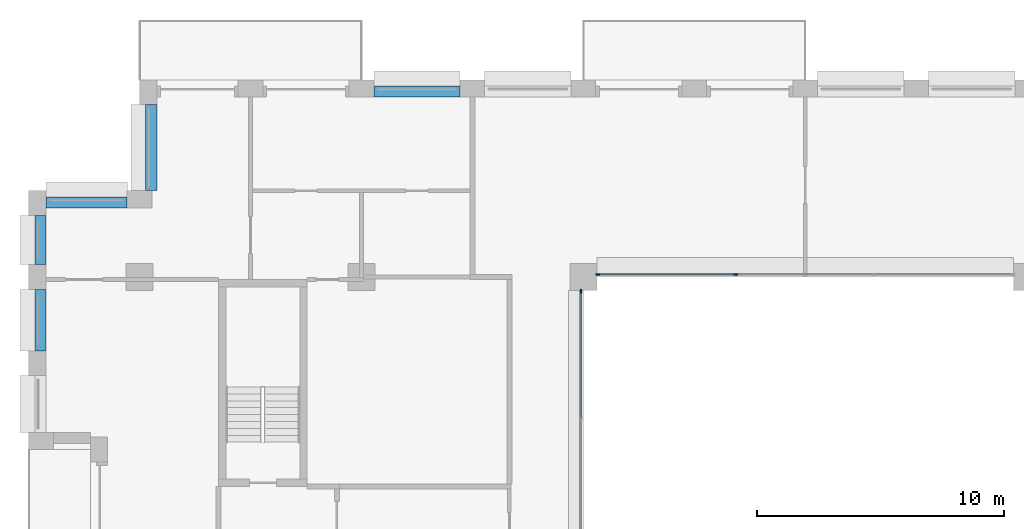
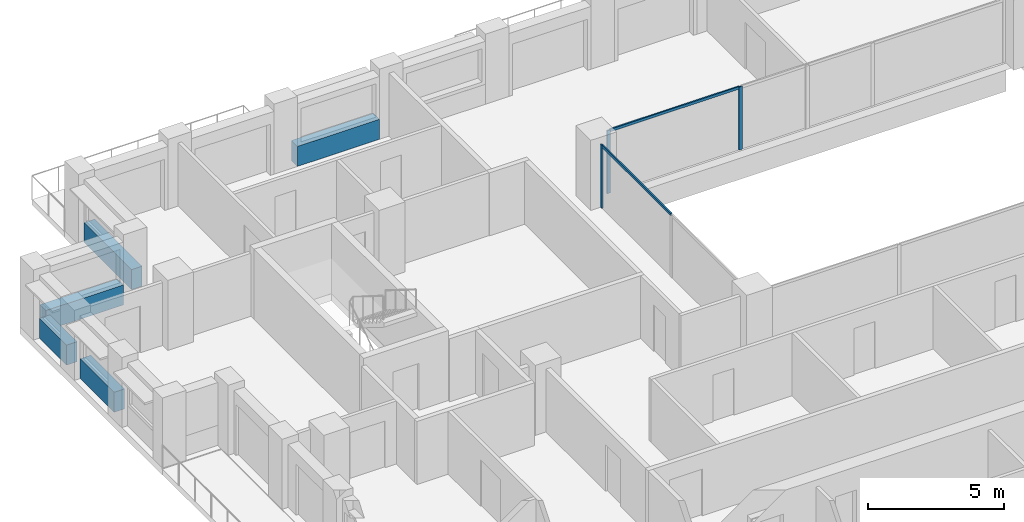
# One storey, part 5 of 16: 5 beams, 5 members, 2 elements without a shape of their own.
"""IFC4 building model written with IfcOpenShell, lengths in metres."""

from ifc_helpers import new_model, si_unit, direction, frame, origin, origin_2d, place, context, subcontext, project, spatial, rectangle, extrude, material, layer, layer_set, material_profile, profile_set, type_object, element, aggregate, save


model = new_model("IFC4")

# Units and contexts
model_context = context("Model", 3, precision=1e-05, world=origin(), true_north=direction((0.0, 1.0)))
body_context = subcontext(model_context, "Body", "Model", "MODEL_VIEW")
ifc_project = project(units=[si_unit("LENGTHUNIT", "METRE"), si_unit("AREAUNIT", "SQUARE_METRE"), si_unit("VOLUMEUNIT", "CUBIC_METRE"), si_unit("PLANEANGLEUNIT", "RADIAN"), si_unit("MASSUNIT", "GRAM", prefix="KILO")], contexts=[model_context])

# Site, building, storey
site_placement = place(None, origin())
site = spatial("IfcSite", under=ifc_project, at=site_placement, CompositionType="ELEMENT")
building_placement = place(site_placement, origin())
building = spatial("IfcBuilding", under=site, at=building_placement, Name="Brigalow Station Residences", CompositionType="ELEMENT")
storey_placement = place(building_placement, frame((0.0, 0.0, 160.199951171875)))
storey = spatial("IfcBuildingStorey", under=building, at=storey_placement, Name="L46", CompositionType="ELEMENT", Elevation=160.199951171875)

# Curtain wall, members
ifc_material_1 = material(Name="Aluminium", Category="aluminium")
ifc_layer = layer(ifc_material_1, 0.14990234375)
ifc_layer_set = layer_set([ifc_layer], Name="ATRIUM FIRE-RATED GLAZING CURTAIN WALL")
curtain_wall_type = type_object("IfcCurtainWallType", Name="ATRIUM FIRE-RATED GLAZING CURTAIN WALL", PredefinedType="NOTDEFINED", material=ifc_layer_set)
curtain_wall_1_placement = place(storey_placement, origin())
curtain_wall_1 = element("IfcCurtainWall", 1, at=curtain_wall_1_placement, inside=storey, type_object=curtain_wall_type, Name="L46/cw/atrium-N", PredefinedType="NOTDEFINED")
ifc_material_2 = material(Name="Aluminium", Category="aluminium")
ifc_material_profile_1 = material_profile(ifc_material_2, rectangle(XDim=0.06005859375, YDim=0.14990234375, at=origin_2d()), Name="ATRIUM FIRE-RATED GLAZING MULLION 60x150")
ifc_profile_set_1 = profile_set([ifc_material_profile_1], Name="Aluminium")
member_type_1 = type_object("IfcMemberType", Name="ATRIUM FIRE-RATED GLAZING MULLION 60x150", PredefinedType="MULLION", material=ifc_profile_set_1)
member_1_placement = place(storey_placement, frame((33.183349609375, 35.60009765625, 0.0), z_axis=(0.0, 0.0, 1.0), x_axis=(0.0, -1.0, 0.0)))
member_1 = element("IfcMember", 2, at=member_1_placement, type_object=member_type_1, Name="L46/cw/atrium-N/M02", PredefinedType="MULLION", context=body_context, shape_type="SweptSolid", body=[
    extrude(rectangle(XDim=0.06005859375, YDim=0.14990234375, at=origin_2d()), origin(), (0.0, 0.0, 1.0), 2.830078125),
])
member_2_placement = place(storey_placement, frame((27.580078125, 35.60009765625, 0.0), z_axis=(0.0, 0.0, 1.0), x_axis=(0.0, -1.0, 0.0)))
member_2 = element("IfcMember", 3, at=member_2_placement, type_object=member_type_1, Name="L46/cw/atrium-N/M03", PredefinedType="MULLION", context=body_context, shape_type="SweptSolid", body=[
    extrude(rectangle(XDim=0.06005859375, YDim=0.14990234375, at=origin_2d()), origin(), (0.0, 0.0, 1.0), 2.830078125),
])

# Curtain wall, member
curtain_wall_2_placement = place(storey_placement, origin())
curtain_wall_2 = element("IfcCurtainWall", 4, at=curtain_wall_2_placement, inside=storey, type_object=curtain_wall_type, Name="L46/cw/atrium-W", PredefinedType="NOTDEFINED")
member_3_placement = place(storey_placement, frame((26.89990234375, 34.919921875, 0.0), z_axis=(0.0, 0.0, 1.0), x_axis=(1.0, 0.0, 0.0)))
member_3 = element("IfcMember", 5, at=member_3_placement, type_object=member_type_1, Name="L46/cw/atrium-W/M00", PredefinedType="MULLION", context=body_context, shape_type="SweptSolid", body=[
    extrude(rectangle(XDim=0.06005859375, YDim=0.14990234375, at=origin_2d()), origin(), (0.0, 0.0, 1.0), 2.830078125),
])

# Member
ifc_material_3 = material(Name="Aluminium", Category="aluminium")
ifc_material_profile_2 = material_profile(ifc_material_3, rectangle(XDim=0.06005859375, YDim=0.1201171875, at=origin_2d()), Name="ATRIUM FIRE-RATED GLAZING TRANSOM 60x120")
ifc_profile_set_2 = profile_set([ifc_material_profile_2], Name="Aluminium")
member_type_2 = type_object("IfcMemberType", Name="ATRIUM FIRE-RATED GLAZING TRANSOM 60x120", PredefinedType="USERDEFINED", material=ifc_profile_set_2)
member_4_placement = place(storey_placement, frame((33.1533203125, 35.60009765625, 2.800048828125), z_axis=(-1.0, 0.0, 0.0), x_axis=(0.0, -1.0, 0.0)))
member_4 = element("IfcMember", 6, at=member_4_placement, type_object=member_type_2, Name="L46/cw/atrium-N/T02-00", ObjectType="TRANSOM", PredefinedType="USERDEFINED", context=body_context, shape_type="SweptSolid", body=[
    extrude(rectangle(XDim=0.06005859375, YDim=0.1201171875, at=origin_2d()), origin(), (0.0, 0.0, 1.0), 5.543212890625),
])

aggregate(curtain_wall_1, [member_1, member_2, member_4])

member_5_placement = place(storey_placement, frame((26.89990234375, 34.889892578125, 2.800048828125), z_axis=(0.0, -1.0, 0.0), x_axis=(1.0, 0.0, 0.0)))
member_5 = element("IfcMember", 7, at=member_5_placement, type_object=member_type_2, Name="L46/cw/atrium-W/T00-00", ObjectType="TRANSOM", PredefinedType="USERDEFINED", context=body_context, shape_type="SweptSolid", body=[
    extrude(rectangle(XDim=0.06005859375, YDim=0.1201171875, at=origin_2d()), origin(), (0.0, 0.0, 1.0), 5.10986328125),
])

aggregate(curtain_wall_2, [member_3, member_5])

# Beams
ifc_material_4 = material(Name="Concrete C50", Category="concrete")
ifc_material_profile_3 = material_profile(ifc_material_4, rectangle(XDim=0.449951171875, YDim=0.89990234375, at=origin_2d()), Name="RC450x900")
ifc_profile_set_3 = profile_set([ifc_material_profile_3], Name="Concrete C50")
beam_type = type_object("IfcBeamType", Name="SPANDREL BEAM 450x900 C50", PredefinedType="SPANDREL", material=ifc_profile_set_3)
for number, where, z_axis, x_axis, name in (
    (8, (22.0, 43.02490234375, 0.449951171875), (-1.0, 0.0, 0.0), (0.0, -1.0, 0.0), "L46/spandrel/W-L46-32"),
    (9, (9.47509765625, 42.5, 0.449951171875), (0.0, -1.0, 0.0), (1.0, 0.0, 0.0), "L46/spandrel/W-L46-35"),
):
    element("IfcBeam", number, at=place(storey_placement, frame(where, z_axis=z_axis, x_axis=x_axis)), inside=storey, type_object=beam_type, Name=name, PredefinedType="SPANDREL", context=body_context, shape_type="SweptSolid", body=[
        extrude(rectangle(XDim=0.449951171875, YDim=0.89990234375, at=origin_2d()), origin(), (0.0, 0.0, 1.0), 3.5),
    ])
beam_1_placement = place(storey_placement, frame((8.5, 38.52490234375, 0.449951171875), z_axis=(-1.0, 0.0, 0.0), x_axis=(0.0, -1.0, 0.0)))
element("IfcBeam", 10, at=beam_1_placement, inside=storey, type_object=beam_type, Name="L46/spandrel/W-L46-36", PredefinedType="SPANDREL", context=body_context, shape_type="SweptSolid", body=[
    extrude(rectangle(XDim=0.449951171875, YDim=0.89990234375, at=origin_2d()), origin(), (0.0, 0.0, 1.0), 3.300048828125),
])
beam_2_placement = place(storey_placement, frame((4.97509765625, 38.0, 0.449951171875), z_axis=(0.0, -1.0, 0.0), x_axis=(1.0, 0.0, 0.0)))
element("IfcBeam", 11, at=beam_2_placement, inside=storey, type_object=beam_type, Name="L46/spandrel/W-L46-37", PredefinedType="SPANDREL", context=body_context, shape_type="SweptSolid", body=[
    extrude(rectangle(XDim=0.449951171875, YDim=0.89990234375, at=origin_2d()), origin(), (0.0, 0.0, 1.0), 2.0),
])
beam_3_placement = place(storey_placement, frame((4.97509765625, 35.0, 0.449951171875), z_axis=(0.0, -1.0, 0.0), x_axis=(1.0, 0.0, 0.0)))
element("IfcBeam", 12, at=beam_3_placement, inside=storey, type_object=beam_type, Name="L46/spandrel/W-L46-38", PredefinedType="SPANDREL", context=body_context, shape_type="SweptSolid", body=[
    extrude(rectangle(XDim=0.449951171875, YDim=0.89990234375, at=origin_2d()), origin(), (0.0, 0.0, 1.0), 2.5),
])

save(model, "model.ifc")
